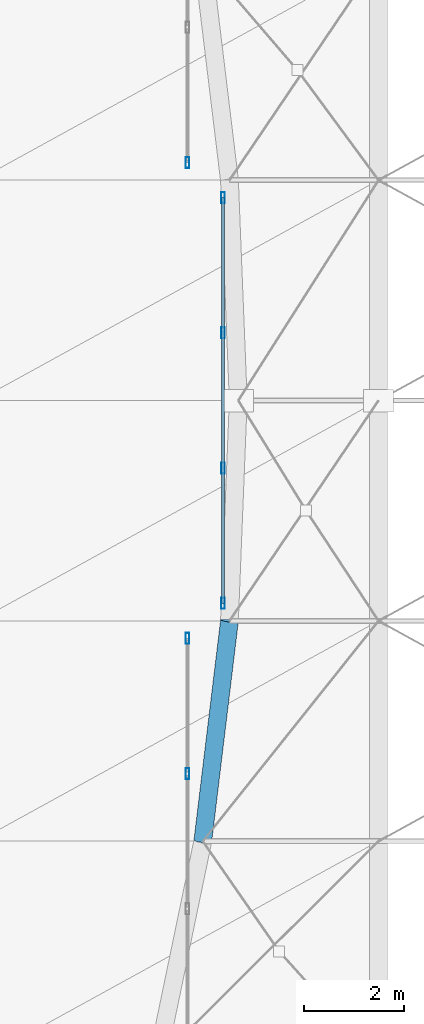
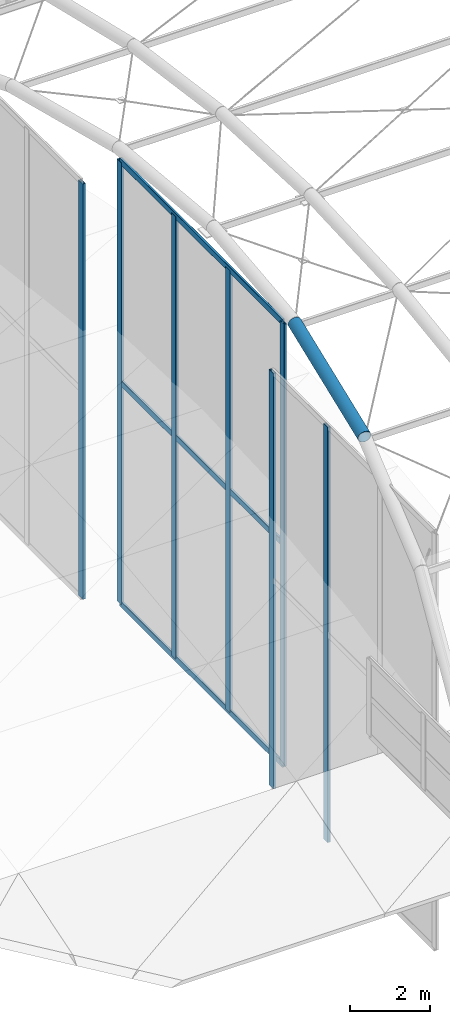
# One storey, part 14 of 163: 10 members, 1 beam, 3 elements without a shape of their own.
"""IFC4 building model written with IfcOpenShell, lengths in metres."""

from ifc_helpers import new_model, si_unit, direction, frame, origin, origin_2d, place, context, subcontext, project, spatial, hollow_rectangle, hollow_circle, extrude, material, material_profile, profile_set, type_object, element, aggregate, save


model = new_model("IFC4")

# Units and contexts
model_context = context("Model", 3, precision=1e-05, world=origin(), true_north=direction((0.0, 1.0)))
body_context = subcontext(model_context, "Body", "Model", "MODEL_VIEW")
ifc_project = project(units=[si_unit("LENGTHUNIT", "METRE"), si_unit("AREAUNIT", "SQUARE_METRE"), si_unit("VOLUMEUNIT", "CUBIC_METRE"), si_unit("PLANEANGLEUNIT", "RADIAN"), si_unit("MASSUNIT", "GRAM", prefix="KILO")], contexts=[model_context])

# Site, building, storey
site_placement = place(None, origin())
site = spatial("IfcSite", under=ifc_project, at=site_placement, CompositionType="ELEMENT")
building_placement = place(site_placement, origin())
building = spatial("IfcBuilding", under=site, at=building_placement, Name="Varnabhumi Central Station", CompositionType="ELEMENT")
storey_placement = place(building_placement, frame((0.0, 0.0, 9.60009765625)))
storey = spatial("IfcBuildingStorey", under=building, at=storey_placement, Name="L02", CompositionType="ELEMENT", Elevation=9.60009765625)

# Beam
ifc_material_1 = material(Name="Structural steel E350", Category="steel")
ifc_material_profile_1 = material_profile(ifc_material_1, hollow_circle(Radius=0.177734375, WallThickness=0.012451171875, at=origin_2d()), Name="Structural steel E350", Category="steel")
ifc_profile_set_1 = profile_set([ifc_material_profile_1], Name="Structural steel E350")
beam_type = type_object("IfcBeamType", Name="BM-ARCH-CHS355", PredefinedType="BEAM", material=ifc_profile_set_1)
beam_placement = place(storey_placement, frame((20.491455078125, 49.199951171875, 8.182373046875), z_axis=(0.119103158356, 0.983323968412, 0.137435114933), x_axis=(-0.992744345989, 0.120244182838, 0.0)))
element("IfcBeam", 1, at=beam_placement, inside=storey, type_object=beam_type, Name="Entrance Portico Vault Arch Rib 1 Seg 4", PredefinedType="BEAM", context=body_context, shape_type="SweptSolid", body=[
    extrude(hollow_circle(Radius=0.177734375, WallThickness=0.012451171875, at=origin_2d()), origin(), (0.0, 0.0, 1.0), 4.474853515625),
])

# Curtain wall, members
ifc_material_2 = material(Name="Anodised aluminium 6063-T6", Category="aluminium")
curtain_wall_type = type_object("IfcCurtainWallType", Name="CW-VAULT-ARCH-V2", PredefinedType="NOTDEFINED", material=ifc_material_2)
curtain_wall_1_placement = place(storey_placement, origin())
curtain_wall_1 = element("IfcCurtainWall", 2, at=curtain_wall_1_placement, inside=storey, type_object=curtain_wall_type, Name="Curtain Wall CW-V22", PredefinedType="NOTDEFINED")
ifc_material_profile_2 = material_profile(ifc_material_2, hollow_rectangle(XDim=0.074951171875, YDim=0.219970703125, WallThickness=0.0048828125, InnerFilletRadius=0.0009765625, OuterFilletRadius=0.006103515625, at=origin_2d()), Name="Anodised aluminium 6063-T6", Category="aluminium")
ifc_profile_set_2 = profile_set([ifc_material_profile_2], Name="Anodised aluminium 6063-T6")
member_type_1 = type_object("IfcMemberType", Name="CW-MUL-220", PredefinedType="MULLION", material=ifc_profile_set_2)
member_1_placement = place(storey_placement, frame((20.18798828125, 50.550048828125, -4.800048828125), z_axis=(0.0, 0.0, 1.0), x_axis=(1.0, 0.0, 0.0)))
member_1 = element("IfcMember", 3, at=member_1_placement, type_object=member_type_1, Name="Curtain Wall Mullion CW-V22-M3", PredefinedType="MULLION", context=body_context, shape_type="SweptSolid", body=[
    extrude(hollow_rectangle(XDim=0.074951171875, YDim=0.219970703125, WallThickness=0.0048828125, InnerFilletRadius=0.0009765625, OuterFilletRadius=0.006103515625, at=origin_2d()), origin(), (0.0, 0.0, 1.0), 12.63232421875),
])
member_2_placement = place(storey_placement, frame((20.18798828125, 53.25, -4.800048828125), z_axis=(0.0, 0.0, 1.0), x_axis=(1.0, 0.0, 0.0)))
member_2 = element("IfcMember", 4, at=member_2_placement, type_object=member_type_1, Name="Curtain Wall Mullion CW-V22-M4", PredefinedType="MULLION", context=body_context, shape_type="SweptSolid", body=[
    extrude(hollow_rectangle(XDim=0.074951171875, YDim=0.219970703125, WallThickness=0.0048828125, InnerFilletRadius=0.0009765625, OuterFilletRadius=0.006103515625, at=origin_2d()), origin(), (0.0, 0.0, 1.0), 12.63232421875),
])
aggregate(curtain_wall_1, [member_1, member_2])

curtain_wall_2_placement = place(storey_placement, origin())
curtain_wall_2 = element("IfcCurtainWall", 5, at=curtain_wall_2_placement, inside=storey, type_object=curtain_wall_type, Name="Curtain Wall CW-V23", PredefinedType="NOTDEFINED")
member_3_placement = place(storey_placement, frame((20.89697265625, 53.949951171875, -4.800048828125), z_axis=(0.0, 0.0, 1.0), x_axis=(1.0, 0.0, 0.0)))
member_3 = element("IfcMember", 6, at=member_3_placement, type_object=member_type_1, Name="Curtain Wall Mullion CW-V23-M1", PredefinedType="MULLION", context=body_context, shape_type="SweptSolid", body=[
    extrude(hollow_rectangle(XDim=0.074951171875, YDim=0.219970703125, WallThickness=0.0048828125, InnerFilletRadius=0.0009765625, OuterFilletRadius=0.006103515625, at=origin_2d()), origin(), (0.0, 0.0, 1.0), 13.449951171875),
])
member_4_placement = place(storey_placement, frame((20.89697265625, 56.64990234375, -4.800048828125), z_axis=(0.0, 0.0, 1.0), x_axis=(1.0, 0.0, 0.0)))
member_4 = element("IfcMember", 7, at=member_4_placement, type_object=member_type_1, Name="Curtain Wall Mullion CW-V23-M2", PredefinedType="MULLION", context=body_context, shape_type="SweptSolid", body=[
    extrude(hollow_rectangle(XDim=0.074951171875, YDim=0.219970703125, WallThickness=0.0048828125, InnerFilletRadius=0.0009765625, OuterFilletRadius=0.006103515625, at=origin_2d()), origin(), (0.0, 0.0, 1.0), 13.449951171875),
])
member_5_placement = place(storey_placement, frame((20.89697265625, 59.35009765625, -4.800048828125), z_axis=(0.0, 0.0, 1.0), x_axis=(1.0, 0.0, 0.0)))
member_5 = element("IfcMember", 8, at=member_5_placement, type_object=member_type_1, Name="Curtain Wall Mullion CW-V23-M3", PredefinedType="MULLION", context=body_context, shape_type="SweptSolid", body=[
    extrude(hollow_rectangle(XDim=0.074951171875, YDim=0.219970703125, WallThickness=0.0048828125, InnerFilletRadius=0.0009765625, OuterFilletRadius=0.006103515625, at=origin_2d()), origin(), (0.0, 0.0, 1.0), 13.449951171875),
])
member_6_placement = place(storey_placement, frame((20.89697265625, 62.050048828125, -4.800048828125), z_axis=(0.0, 0.0, 1.0), x_axis=(1.0, 0.0, 0.0)))
member_6 = element("IfcMember", 9, at=member_6_placement, type_object=member_type_1, Name="Curtain Wall Mullion CW-V23-M4", PredefinedType="MULLION", context=body_context, shape_type="SweptSolid", body=[
    extrude(hollow_rectangle(XDim=0.074951171875, YDim=0.219970703125, WallThickness=0.0048828125, InnerFilletRadius=0.0009765625, OuterFilletRadius=0.006103515625, at=origin_2d()), origin(), (0.0, 0.0, 1.0), 13.449951171875),
])

# Curtain wall, member
curtain_wall_3_placement = place(storey_placement, origin())
curtain_wall_3 = element("IfcCurtainWall", 10, at=curtain_wall_3_placement, inside=storey, type_object=curtain_wall_type, Name="Curtain Wall CW-V24", PredefinedType="NOTDEFINED")
member_7_placement = place(storey_placement, frame((20.18798828125, 62.75, -4.800048828125), z_axis=(0.0, 0.0, 1.0), x_axis=(1.0, 0.0, 0.0)))
member_7 = element("IfcMember", 11, at=member_7_placement, type_object=member_type_1, Name="Curtain Wall Mullion CW-V24-M1", PredefinedType="MULLION", context=body_context, shape_type="SweptSolid", body=[
    extrude(hollow_rectangle(XDim=0.074951171875, YDim=0.219970703125, WallThickness=0.0048828125, InnerFilletRadius=0.0009765625, OuterFilletRadius=0.006103515625, at=origin_2d()), origin(), (0.0, 0.0, 1.0), 12.63232421875),
])
aggregate(curtain_wall_3, [member_7])

# Member
ifc_material_profile_3 = material_profile(ifc_material_2, hollow_rectangle(XDim=0.06494140625, YDim=0.179931640625, WallThickness=0.00390625, InnerFilletRadius=0.001953125, OuterFilletRadius=0.006103515625, at=origin_2d()), Name="Anodised aluminium 6063-T6", Category="aluminium")
ifc_profile_set_3 = profile_set([ifc_material_profile_3], Name="Anodised aluminium 6063-T6")
member_type_2 = type_object("IfcMemberType", Name="CW-TR-180", PredefinedType="USERDEFINED", material=ifc_profile_set_3)
member_8_placement = place(storey_placement, frame((20.89697265625, 53.949951171875, -4.800048828125), z_axis=(0.0, 1.0, 0.0), x_axis=(-1.0, 0.0, 0.0)))
member_8 = element("IfcMember", 12, at=member_8_placement, type_object=member_type_2, Name="Curtain Wall Transom CW-V23-T1", ObjectType="TRANSOM", PredefinedType="USERDEFINED", context=body_context, shape_type="SweptSolid", body=[
    extrude(hollow_rectangle(XDim=0.06494140625, YDim=0.179931640625, WallThickness=0.00390625, InnerFilletRadius=0.001953125, OuterFilletRadius=0.006103515625, at=origin_2d()), origin(), (0.0, 0.0, 1.0), 8.10009765625),
])

member_9_placement = place(storey_placement, frame((20.89697265625, 53.949951171875, 1.9248046875), z_axis=(0.0, 1.0, 0.0), x_axis=(-1.0, 0.0, 0.0)))
member_9 = element("IfcMember", 13, at=member_9_placement, type_object=member_type_2, Name="Curtain Wall Transom CW-V23-T2", ObjectType="TRANSOM", PredefinedType="USERDEFINED", context=body_context, shape_type="SweptSolid", body=[
    extrude(hollow_rectangle(XDim=0.06494140625, YDim=0.179931640625, WallThickness=0.00390625, InnerFilletRadius=0.001953125, OuterFilletRadius=0.006103515625, at=origin_2d()), origin(), (0.0, 0.0, 1.0), 8.10009765625),
])

member_10_placement = place(storey_placement, frame((20.89697265625, 53.949951171875, 8.64990234375), z_axis=(0.0, 1.0, 0.0), x_axis=(-1.0, 0.0, 0.0)))
member_10 = element("IfcMember", 14, at=member_10_placement, type_object=member_type_2, Name="Curtain Wall Transom CW-V23-T3", ObjectType="TRANSOM", PredefinedType="USERDEFINED", context=body_context, shape_type="SweptSolid", body=[
    extrude(hollow_rectangle(XDim=0.06494140625, YDim=0.179931640625, WallThickness=0.00390625, InnerFilletRadius=0.001953125, OuterFilletRadius=0.006103515625, at=origin_2d()), origin(), (0.0, 0.0, 1.0), 8.10009765625),
])

aggregate(curtain_wall_2, [member_3, member_4, member_5, member_6, member_8, member_9, member_10])

save(model, "model.ifc")
